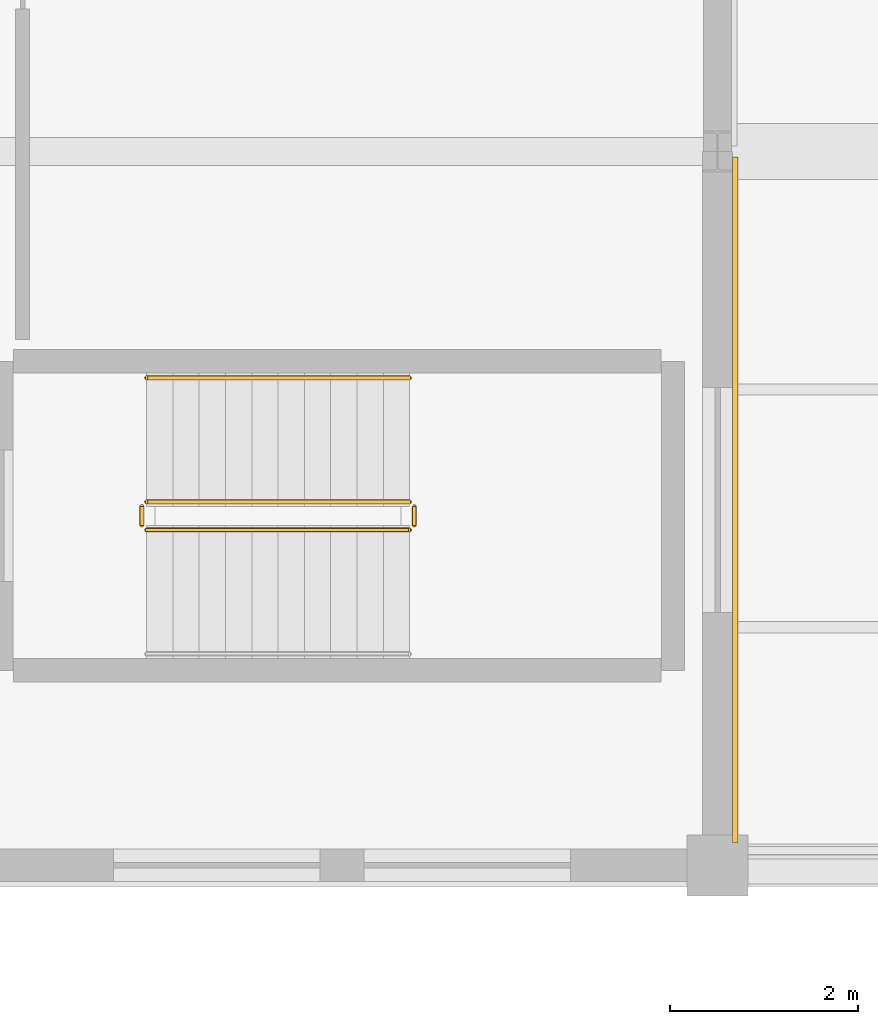
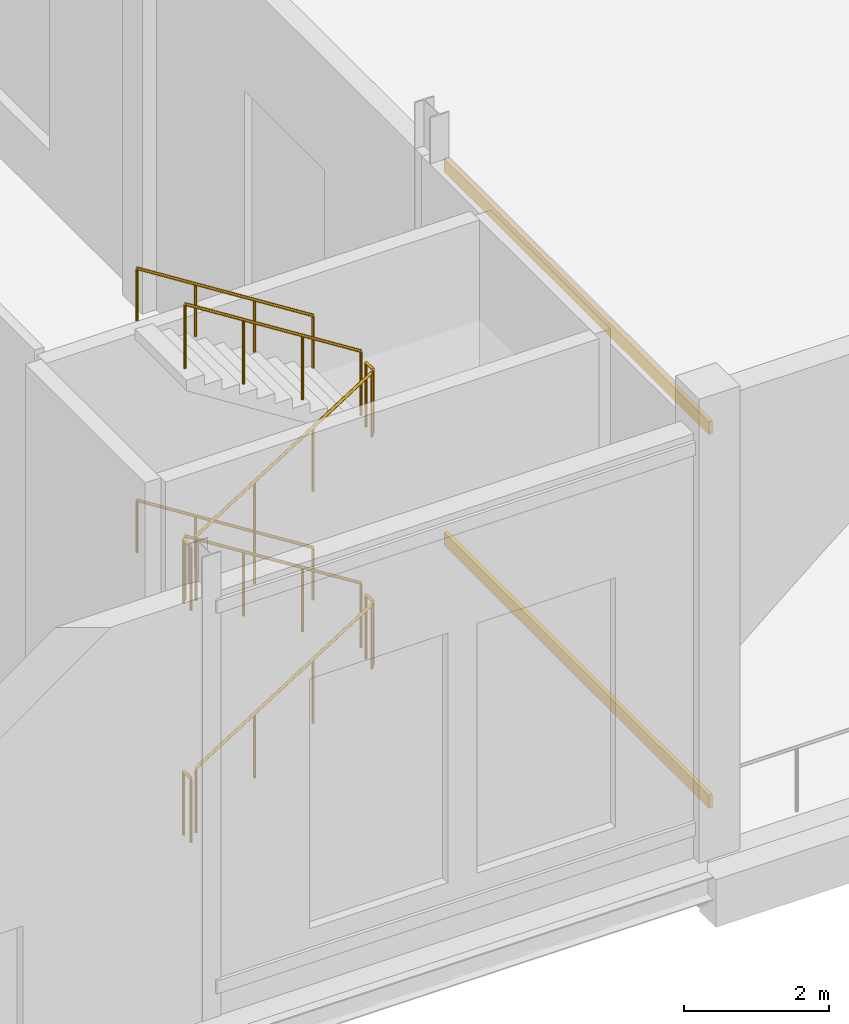
# One storey, part 154 of 176: 10 railings, 2 coverings.
"""IFC4 building model written with IfcOpenShell, lengths in metres."""

from ifc_helpers import new_model, si_unit, direction, frame, origin, origin_2d, place, context, subcontext, project, spatial, rectangle, circle, extrude, material, layer, layer_set, type_object, element, save


model = new_model("IFC4")

# Units and contexts
model_context = context("Model", 3, precision=1e-05, world=origin(), true_north=direction((0.0, 1.0)))
body_context = subcontext(model_context, "Body", "Model", "MODEL_VIEW")
ifc_project = project(units=[si_unit("LENGTHUNIT", "METRE"), si_unit("AREAUNIT", "SQUARE_METRE"), si_unit("VOLUMEUNIT", "CUBIC_METRE"), si_unit("PLANEANGLEUNIT", "RADIAN"), si_unit("MASSUNIT", "GRAM", prefix="KILO")], contexts=[model_context])

# Site, building, storey
site_placement = place(None, origin())
site = spatial("IfcSite", under=ifc_project, at=site_placement, CompositionType="ELEMENT")
building_placement = place(site_placement, origin())
building = spatial("IfcBuilding", under=site, at=building_placement, Name="Vekula Escarpment Museum", CompositionType="ELEMENT")
storey_placement = place(building_placement, origin())
storey = spatial("IfcBuildingStorey", under=building, at=storey_placement, Name="L01", CompositionType="ELEMENT", Elevation=0.0)

# Coverings
ifc_material_1 = material(Name="Polychrome limestone almasik string-course band", Category="masonry")
ifc_layer = layer(ifc_material_1, 0.06005859375)
ifc_layer_set = layer_set([ifc_layer], Name="Polychrome limestone almasik string-course band")
covering_type = type_object("IfcCoveringType", Name="COV-ALM-BAND", PredefinedType="CLADDING", material=ifc_layer_set)
for number, where, z_axis, x_axis, name in (
    (1, (56.18603515625, 3.889404296875, 0.41015625), (0.0, 0.0, 1.0), (0.0, 1.0, 0.0), "Almasik Stone String Course L01-0203"),
    (2, (56.18603515625, 3.889404296875, 6.69482421875), (0.0, 0.0, 1.0), (0.0, 1.0, 0.0), "Almasik Stone String Course L01-0204"),
):
    element("IfcCovering", number, at=place(storey_placement, frame(where, z_axis=z_axis, x_axis=x_axis)), inside=storey, type_object=covering_type, Name=name, PredefinedType="CLADDING", context=body_context, shape_type="SweptSolid", body=[
        extrude(rectangle(XDim=7.301025390625, YDim=0.06005859375, at=origin_2d()), origin(), (0.0, 0.0, 1.0), 0.219970703125),
    ])

# Railings
ifc_material_2 = material(Name="Painted Steel S355 stair guard", Category="steel")
railing_type_1 = type_object("IfcRailingType", Name="RL-STAIR-GUARD", PredefinedType="GUARDRAIL", material=ifc_material_2)
railing_1_placement = place(storey_placement, frame((49.919921875, 3.570068359375, 0.17724609375)))
element("IfcRailing", 3, at=railing_1_placement, inside=storey, type_object=railing_type_1, Name="L01 ST-07 stair guard 1", PredefinedType="GUARDRAIL", context=body_context, shape_type="SweptSolid", body=[
    extrude(circle(Radius=0.02392578125, at=origin_2d()), frame((0.0, 0.0, 1.076171875), z_axis=(0.844908973607, 0.0, 0.534910110503), x_axis=(0.0, 1.0, 0.0)), (0.0, 0.0, 1.0), 3.31396484375),
    extrude(circle(Radius=0.02099609375, at=origin_2d()), origin(), (0.0, 0.0, 1.0), 1.052001953125),
    extrude(circle(Radius=0.02099609375, at=origin_2d()), frame((0.933349609375, 0.0, 0.5908203125)), (0.0, 0.0, 1.0), 1.052001953125),
    extrude(circle(Radius=0.02099609375, at=origin_2d()), frame((1.86669921875, 0.0, 1.181884765625)), (0.0, 0.0, 1.0), 1.052001953125),
    extrude(circle(Radius=0.02099609375, at=origin_2d()), frame((2.800048828125, 0.0, 1.772705078125)), (0.0, 0.0, 1.0), 1.052001953125),
])
railing_2_placement = place(storey_placement, frame((52.77001953125, 3.6201171875, 1.949951171875)))
element("IfcRailing", 4, at=railing_2_placement, inside=storey, type_object=railing_type_1, Name="L01 ST-07 stair guard 2", PredefinedType="GUARDRAIL", context=body_context, shape_type="SweptSolid", body=[
    extrude(circle(Radius=0.02392578125, at=origin_2d()), frame((0.0, 0.0, 1.076171875), z_axis=(0.0, 1.0, 0.0), x_axis=(-1.0, 0.0, 0.0)), (0.0, 0.0, 1.0), 0.199951171875),
    extrude(circle(Radius=0.02099609375, at=origin_2d()), origin(), (0.0, 0.0, 1.0), 1.052001953125),
    extrude(circle(Radius=0.02099609375, at=origin_2d()), frame((0.0, 0.199951171875, 0.0)), (0.0, 0.0, 1.0), 1.052001953125),
])
railing_3_placement = place(storey_placement, frame((52.719970703125, 3.8701171875, 2.127197265625)))
element("IfcRailing", 5, at=railing_3_placement, inside=storey, type_object=railing_type_1, Name="L01 ST-07 stair guard 3", PredefinedType="GUARDRAIL", context=body_context, shape_type="SweptSolid", body=[
    extrude(circle(Radius=0.02392578125, at=origin_2d()), frame((0.0, 0.0, 1.076171875), z_axis=(-0.844908973607, 0.0, 0.534910110503), x_axis=(0.0, -1.0, 0.0)), (0.0, 0.0, 1.0), 3.31396484375),
    extrude(circle(Radius=0.02099609375, at=origin_2d()), origin(), (0.0, 0.0, 1.0), 1.052001953125),
    extrude(circle(Radius=0.02099609375, at=origin_2d()), frame((-0.933349609375, 0.0, 0.5908203125)), (0.0, 0.0, 1.0), 1.052001953125),
    extrude(circle(Radius=0.02099609375, at=origin_2d()), frame((-1.86669921875, 0.0, 1.181884765625)), (0.0, 0.0, 1.0), 1.052001953125),
    extrude(circle(Radius=0.02099609375, at=origin_2d()), frame((-2.800048828125, 0.0, 1.772705078125)), (0.0, 0.0, 1.0), 1.052001953125),
])
railing_4_placement = place(storey_placement, frame((49.8701171875, 3.6201171875, 3.89990234375)))
element("IfcRailing", 6, at=railing_4_placement, inside=storey, type_object=railing_type_1, Name="L01 ST-07 stair guard 4", PredefinedType="GUARDRAIL", context=body_context, shape_type="SweptSolid", body=[
    extrude(circle(Radius=0.02392578125, at=origin_2d()), frame((0.0, 0.0, 1.076171875), z_axis=(0.0, 1.0, 0.0), x_axis=(-1.0, 0.0, 0.0)), (0.0, 0.0, 1.0), 0.199951171875),
    extrude(circle(Radius=0.02099609375, at=origin_2d()), origin(), (0.0, 0.0, 1.0), 1.052001953125),
    extrude(circle(Radius=0.02099609375, at=origin_2d()), frame((0.0, 0.199951171875, 0.0)), (0.0, 0.0, 1.0), 1.052001953125),
])
railing_5_placement = place(storey_placement, frame((49.919921875, 3.570068359375, 4.077392578125)))
element("IfcRailing", 7, at=railing_5_placement, inside=storey, type_object=railing_type_1, Name="L01 ST-07 stair guard 5", PredefinedType="GUARDRAIL", context=body_context, shape_type="SweptSolid", body=[
    extrude(circle(Radius=0.02392578125, at=origin_2d()), frame((0.0, 0.0, 1.076171875), z_axis=(0.844908973607, 0.0, 0.534910110503), x_axis=(0.0, 1.0, 0.0)), (0.0, 0.0, 1.0), 3.31396484375),
    extrude(circle(Radius=0.02099609375, at=origin_2d()), origin(), (0.0, 0.0, 1.0), 1.052001953125),
    extrude(circle(Radius=0.02099609375, at=origin_2d()), frame((0.933349609375, 0.0, 0.5908203125)), (0.0, 0.0, 1.0), 1.052001953125),
    extrude(circle(Radius=0.02099609375, at=origin_2d()), frame((1.86669921875, 0.0, 1.181884765625)), (0.0, 0.0, 1.0), 1.052001953125),
    extrude(circle(Radius=0.02099609375, at=origin_2d()), frame((2.800048828125, 0.0, 1.772705078125)), (0.0, 0.0, 1.0), 1.052001953125),
])
railing_6_placement = place(storey_placement, frame((52.77001953125, 3.6201171875, 5.85009765625)))
element("IfcRailing", 8, at=railing_6_placement, inside=storey, type_object=railing_type_1, Name="L01 ST-07 stair guard 6", PredefinedType="GUARDRAIL", context=body_context, shape_type="SweptSolid", body=[
    extrude(circle(Radius=0.02392578125, at=origin_2d()), frame((0.0, 0.0, 1.076171875), z_axis=(0.0, 1.0, 0.0), x_axis=(-1.0, 0.0, 0.0)), (0.0, 0.0, 1.0), 0.199951171875),
    extrude(circle(Radius=0.02099609375, at=origin_2d()), origin(), (0.0, 0.0, 1.0), 1.052001953125),
    extrude(circle(Radius=0.02099609375, at=origin_2d()), frame((0.0, 0.199951171875, 0.0)), (0.0, 0.0, 1.0), 1.052001953125),
])
railing_7_placement = place(storey_placement, frame((52.719970703125, 3.8701171875, 6.02734375)))
element("IfcRailing", 9, at=railing_7_placement, inside=storey, type_object=railing_type_1, Name="L01 ST-07 stair guard 7", PredefinedType="GUARDRAIL", context=body_context, shape_type="SweptSolid", body=[
    extrude(circle(Radius=0.02392578125, at=origin_2d()), frame((0.0, 0.0, 1.076171875), z_axis=(-0.844908973607, 0.0, 0.534910110503), x_axis=(0.0, -1.0, 0.0)), (0.0, 0.0, 1.0), 3.31396484375),
    extrude(circle(Radius=0.02099609375, at=origin_2d()), origin(), (0.0, 0.0, 1.0), 1.052001953125),
    extrude(circle(Radius=0.02099609375, at=origin_2d()), frame((-0.933349609375, 0.0, 0.5908203125)), (0.0, 0.0, 1.0), 1.052001953125),
    extrude(circle(Radius=0.02099609375, at=origin_2d()), frame((-1.86669921875, 0.0, 1.181884765625)), (0.0, 0.0, 1.0), 1.052001953125),
    extrude(circle(Radius=0.02099609375, at=origin_2d()), frame((-2.800048828125, 0.0, 1.772705078125)), (0.0, 0.0, 1.0), 1.052001953125),
])
railing_8_placement = place(storey_placement, frame((49.8701171875, 3.6201171875, 0.0)))
element("IfcRailing", 10, at=railing_8_placement, inside=storey, type_object=railing_type_1, Name="L01 ST-07 stair guard 8", PredefinedType="GUARDRAIL", context=body_context, shape_type="SweptSolid", body=[
    extrude(circle(Radius=0.02392578125, at=origin_2d()), frame((0.0, 0.0, 1.076171875), z_axis=(0.0, 1.0, 0.0), x_axis=(-1.0, 0.0, 0.0)), (0.0, 0.0, 1.0), 0.199951171875),
    extrude(circle(Radius=0.02099609375, at=origin_2d()), origin(), (0.0, 0.0, 1.0), 1.052001953125),
    extrude(circle(Radius=0.02099609375, at=origin_2d()), frame((0.0, 0.199951171875, 0.0)), (0.0, 0.0, 1.0), 1.052001953125),
])
ifc_material_3 = material(Name="Brushed stainless steel handrail", Category="steel")
railing_type_2 = type_object("IfcRailingType", Name="RL-STAIR-HAND", PredefinedType="HANDRAIL", material=ifc_material_3)
for number, where, name in (
    (11, (52.719970703125, 5.18994140625, 2.127197265625), "L01 ST-07 stair handrail 2"),
    (12, (52.719970703125, 5.18994140625, 6.02734375), "L01 ST-07 stair handrail 4"),
):
    element("IfcRailing", number, at=place(storey_placement, frame(where)), inside=storey, type_object=railing_type_2, Name=name, PredefinedType="HANDRAIL", context=body_context, shape_type="SweptSolid", body=[
        extrude(circle(Radius=0.02392578125, at=origin_2d()), frame((0.0, 0.0, 0.8759765625), z_axis=(-0.844908973607, 0.0, 0.534910110503), x_axis=(0.0, -1.0, 0.0)), (0.0, 0.0, 1.0), 3.31396484375),
        extrude(circle(Radius=0.02099609375, at=origin_2d()), origin(), (0.0, 0.0, 1.0), 0.851806640625),
        extrude(circle(Radius=0.02099609375, at=origin_2d()), frame((-0.933349609375, 0.0, 0.5908203125)), (0.0, 0.0, 1.0), 0.851806640625),
        extrude(circle(Radius=0.02099609375, at=origin_2d()), frame((-1.86669921875, 0.0, 1.181884765625)), (0.0, 0.0, 1.0), 0.851806640625),
        extrude(circle(Radius=0.02099609375, at=origin_2d()), frame((-2.800048828125, 0.0, 1.772705078125)), (0.0, 0.0, 1.0), 0.851806640625),
    ])

save(model, "model.ifc")
